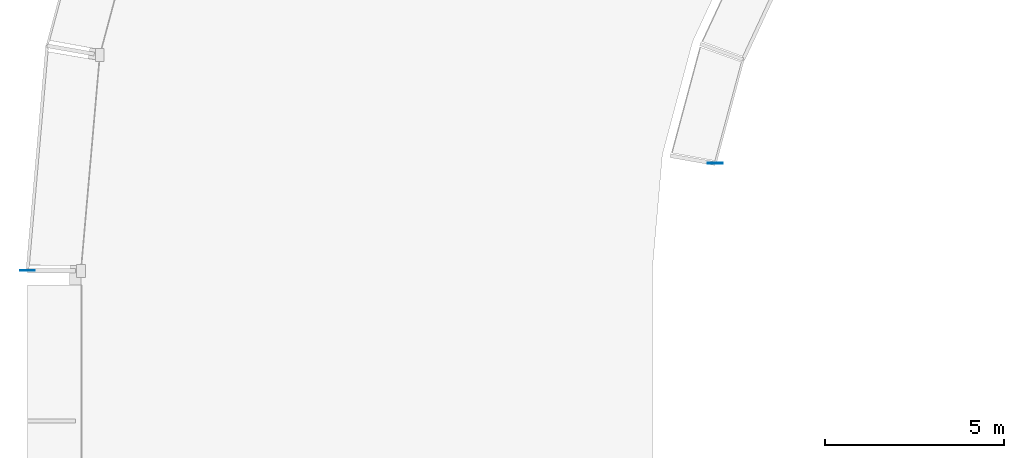
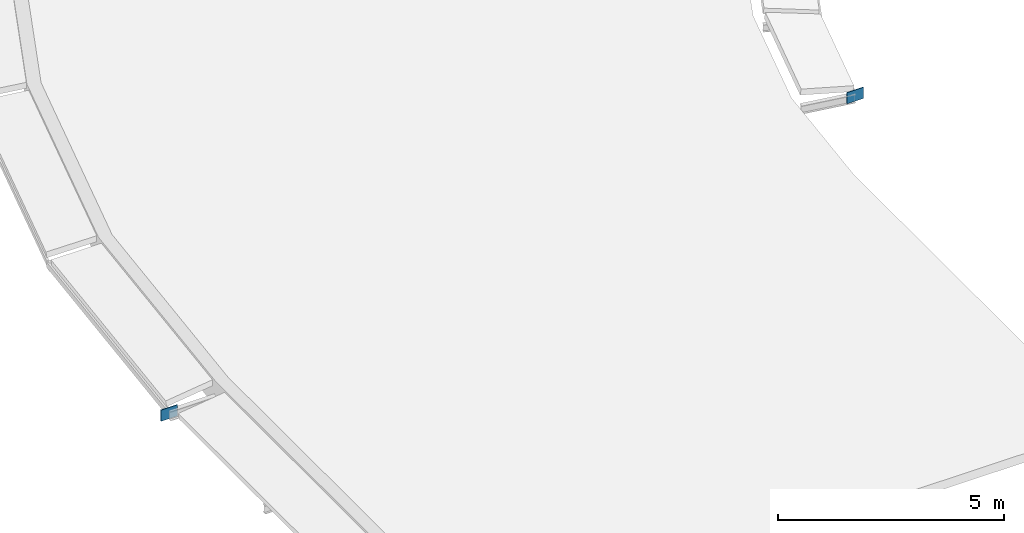
# One storey, part 3 of 6: 2 plates.
"""IFC4 building model written with IfcOpenShell, lengths in metres."""

from ifc_helpers import new_model, si_unit, direction, frame, origin, origin_2d, place, context, subcontext, project, spatial, rectangle, extrude, material, layer, layer_set, type_object, element, save


model = new_model("IFC4")

# Units and contexts
model_context = context("Model", 3, precision=1e-05, world=origin(), true_north=direction((0.0, 1.0)))
body_context = subcontext(model_context, "Body", "Model", "MODEL_VIEW")
ifc_project = project(units=[si_unit("LENGTHUNIT", "METRE"), si_unit("AREAUNIT", "SQUARE_METRE"), si_unit("VOLUMEUNIT", "CUBIC_METRE"), si_unit("PLANEANGLEUNIT", "RADIAN"), si_unit("MASSUNIT", "GRAM", prefix="KILO")], contexts=[model_context])

# Site, building, storey
site_placement = place(None, origin())
site = spatial("IfcSite", under=ifc_project, at=site_placement, CompositionType="ELEMENT")
building_placement = place(site_placement, origin())
building = spatial("IfcBuilding", under=site, at=building_placement, Name="Kiranvali Square Residences", CompositionType="ELEMENT")
storey_placement = place(building_placement, frame((0.0, 0.0, 52.800048828125)))
storey = spatial("IfcBuildingStorey", under=building, at=storey_placement, Name="ROOF", CompositionType="ELEMENT", Elevation=52.800048828125)

# Plates
ifc_material = material(Name="Structural steel E350", Category="steel")
ifc_layer = layer(ifc_material, 0.02001953125)
ifc_layer_set = layer_set([ifc_layer], Name="Structural steel E350")
plate_type = type_object("IfcPlateType", Name="PLT-ENDCAP-20", PredefinedType="SHEET", material=ifc_layer_set)
for number, where, z_axis, x_axis, name in (
    (1, (31.166015625, 90.815673828125, -0.451171875), (0.0, 0.0, 1.0), (1.0, 0.0, 0.0), "Block A inner eave purlin end-cap E"),
    (2, (11.901123046875, 87.81201171875, -0.46240234375), (0.0, 0.0, 1.0), (1.0, 0.0, 0.0), "Block A eave fascia purlin end-cap E"),
):
    element("IfcPlate", number, at=place(storey_placement, frame(where, z_axis=z_axis, x_axis=x_axis)), inside=storey, type_object=plate_type, Name=name, PredefinedType="SHEET", context=body_context, shape_type="SweptSolid", body=[
        extrude(rectangle(XDim=0.419921875, YDim=0.02001953125, at=origin_2d()), origin(), (0.0, 0.0, 1.0), 0.300048828125),
    ])

save(model, "model.ifc")
